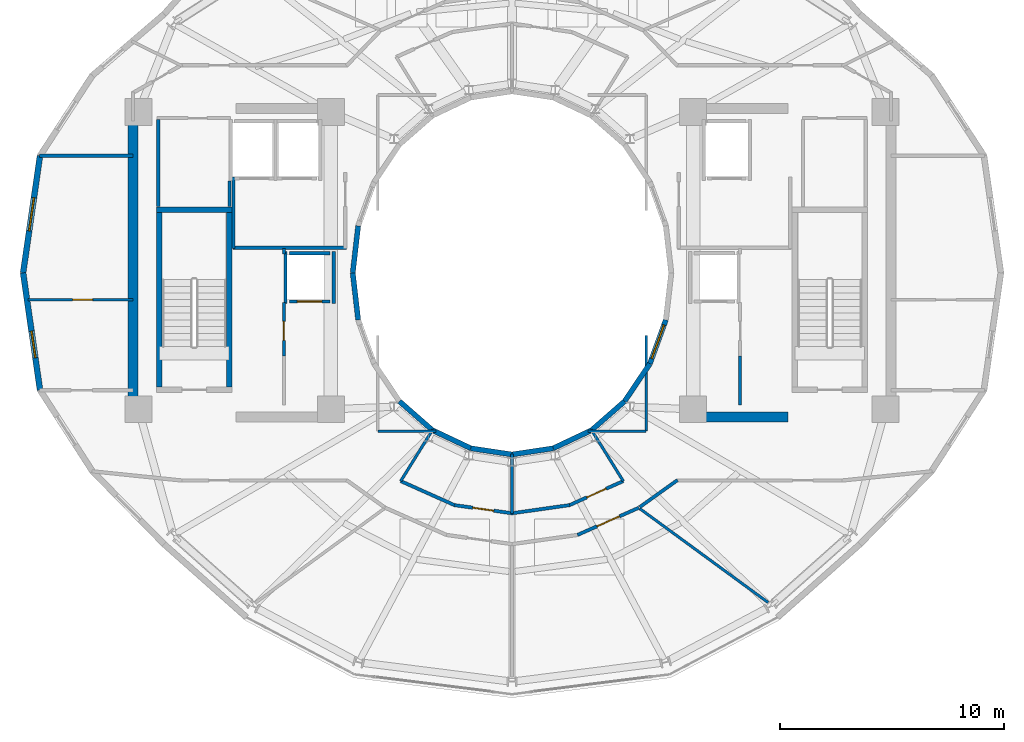
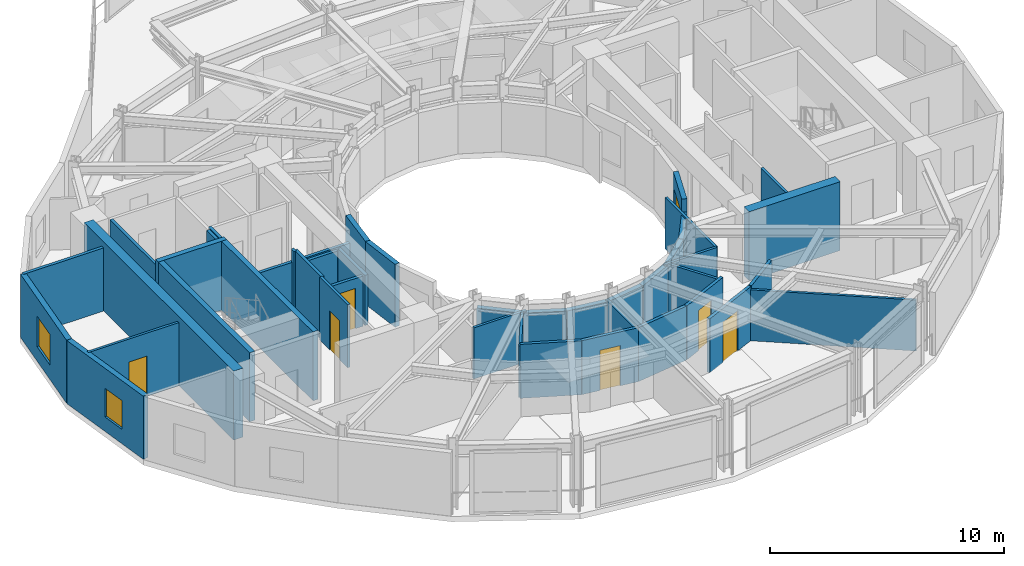
# One storey, part 13 of 19: 43 walls, 6 doors, 3 windows, 9 openings.
"""IFC4 building model written with IfcOpenShell, lengths in metres."""

from ifc_helpers import new_model, si_unit, direction, frame, frame_2d, origin, place, context, subcontext, project, spatial, rectangle, extrude, material, layer, layer_set, type_object, element, fill, save


model = new_model("IFC4")

# Units and contexts
model_context = context("Model", 3, precision=1e-05, world=origin(), true_north=direction((0.0, 1.0)))
body_context = subcontext(model_context, "Body", "Model", "MODEL_VIEW")
ifc_project = project(units=[si_unit("LENGTHUNIT", "METRE"), si_unit("AREAUNIT", "SQUARE_METRE"), si_unit("VOLUMEUNIT", "CUBIC_METRE"), si_unit("PLANEANGLEUNIT", "RADIAN"), si_unit("MASSUNIT", "GRAM", prefix="KILO")], contexts=[model_context])

# Site, building, storey
site_placement = place(None, origin())
site = spatial("IfcSite", under=ifc_project, at=site_placement, CompositionType="ELEMENT")
building_placement = place(site_placement, origin())
building = spatial("IfcBuilding", under=site, at=building_placement, Name="Solvane Sanctuary Tower", CompositionType="ELEMENT")
storey_placement = place(building_placement, frame((0.0, 0.0, 242.39990234375)))
storey = spatial("IfcBuildingStorey", under=building, at=storey_placement, Name="L74", CompositionType="ELEMENT", Elevation=242.39990234375)

# Walls
ifc_material_1 = material(Name="Concrete C50/60", Category="concrete")
ifc_layer_1 = layer(ifc_material_1, 0.449951171875, Name="Concrete C50/60")
ifc_layer_set_1 = layer_set([ifc_layer_1], Name="Concrete C50/60")
wall_type_1 = type_object("IfcWallType", Name="Wall W-CORE-450", PredefinedType="SHEAR", material=ifc_layer_set_1)
wall_1_placement = place(storey_placement, frame((15.050048828125, 17.050048828125, 0.0), z_axis=(0.0, 0.0, 1.0), x_axis=(0.0, 1.0, 0.0)))
element("IfcWall", 1, at=wall_1_placement, inside=storey, type_object=wall_type_1, Name="L74 Core Shear Wall WC-W", PredefinedType="SHEAR", context=body_context, shape_type="SweptSolid", body=[
    extrude(rectangle(XDim=12.800048828125, YDim=0.449951171875, at=frame_2d((6.39990234375, 0.0))), origin(), (0.0, 0.0, 1.0), 3.60009765625),
])
wall_2_placement = place(storey_placement, frame((39.85009765625, 16.550048828125, 0.0), z_axis=(0.0, 0.0, 1.0), x_axis=(1.0, 0.0, 0.0)))
element("IfcWall", 2, at=wall_2_placement, inside=storey, type_object=wall_type_1, Name="L74 Core Shear Wall EC-S", PredefinedType="SHEAR", context=body_context, shape_type="SweptSolid", body=[
    extrude(rectangle(XDim=4.5, YDim=0.449951171875, at=frame_2d((2.25, 0.0))), origin(), (0.0, 0.0, 1.0), 3.60009765625),
])
ifc_material_2 = material(Name="Acoustic Gypsum Partition Board")
ifc_layer_2 = layer(ifc_material_2, 0.14990234375, Name="Acoustic Gypsum Partition Board")
ifc_layer_set_2 = layer_set([ifc_layer_2], Name="Acoustic Gypsum Partition Board")
wall_type_2 = type_object("IfcWallType", Name="Wall W-CORR-150", PredefinedType="PARTITIONING", material=ifc_layer_set_2)
wall_3_placement = place(storey_placement, frame((19.52001953125, 24.1201171875, 0.0), z_axis=(0.0, 0.0, 1.0), x_axis=(1.0, 0.0, 0.0)))
element("IfcWall", 3, at=wall_3_placement, inside=storey, type_object=wall_type_2, Name="L74 West Firefighting Lobby South Wall", PredefinedType="PARTITIONING", context=body_context, shape_type="SweptSolid", body=[
    extrude(rectangle(XDim=5.080078125, YDim=0.14990234375, at=frame_2d((2.5400390625, 0.0))), origin(), (0.0, 0.0, 1.0), 2.6201171875),
])
wall_4_placement = place(storey_placement, frame((19.550048828125, 24.080078125, 0.0), z_axis=(0.0, 0.0, 1.0), x_axis=(0.0, 1.0, 0.0)))
element("IfcWall", 4, at=wall_4_placement, inside=storey, type_object=wall_type_2, Name="L74 West Firefighting Lobby West Wall", PredefinedType="PARTITIONING", context=body_context, shape_type="SweptSolid", body=[
    extrude(rectangle(XDim=3.199951171875, YDim=0.14990234375, at=frame_2d((1.60009765625, 0.0))), origin(), (0.0, 0.0, 1.0), 3.295166015625),
])
wall_5_placement = place(storey_placement, frame((27.01904296875, 13.694091796875, 0.0), z_axis=(0.0, 0.0, 1.0), x_axis=(0.912628408652, -0.408790151203, 0.0)))
element("IfcWall", 5, at=wall_5_placement, inside=storey, type_object=wall_type_2, Name="L74 South Light-Well Corridor Wall 1", PredefinedType="PARTITIONING", context=body_context, shape_type="SweptSolid", body=[
    extrude(rectangle(XDim=2.637939453125, YDim=0.14990234375, at=frame_2d((1.31884765625, 0.0))), origin(), (0.0, 0.0, 1.0), 2.816162109375),
])

# Wall, opening, door
wall_6_placement = place(storey_placement, frame((29.423095703125, 12.61669921875, 0.0), z_axis=(0.0, 0.0, 1.0), x_axis=(0.990078185178, -0.140517569133, 0.0)))
wall_6 = element("IfcWall", 6, at=wall_6_placement, inside=storey, type_object=wall_type_2, Name="L74 South Light-Well Corridor Wall 1", PredefinedType="PARTITIONING", context=body_context, shape_type="SweptSolid", body=[
    extrude(rectangle(XDim=2.609619140625, YDim=0.14990234375, at=frame_2d((1.3046875, 0.0))), origin(), (0.0, 0.0, 1.0), 2.816162109375),
])
opening_1_placement = place(wall_6_placement, frame((0.829833984375, 0.0, 0.0)))
opening_1 = element("IfcOpeningElement", 7, at=opening_1_placement, cuts=wall_6, Name="Opening D-L74-11", PredefinedType="OPENING", context=body_context, shape_type="SweptSolid", body=[
    extrude(rectangle(XDim=0.949951171875, YDim=2.10009765625, at=frame_2d((0.47509765625, 1.050048828125))), frame((0.0, 0.0849609375, 0.0), z_axis=(0.0, -1.0, 0.0), x_axis=(1.0, 0.0, 0.0)), (0.0, 0.0, 1.0), 0.169921875),
])
ifc_material_3 = material(Name="Engineered Tropical Hardwood", Category="wood")
door_type_1 = type_object("IfcDoorType", Name="Door D-ROOM-950", OperationType="NOTDEFINED", PredefinedType="DOOR", material=ifc_material_3)
door_1_placement = place(opening_1_placement, origin())
door_1 = element("IfcDoor", 8, at=door_1_placement, inside=storey, type_object=door_type_1, Name="L74 South Light-Well Alcove Door 1", OperationType="SINGLE_SWING_RIGHT", OverallHeight=2.10009765625, OverallWidth=0.949951171875, PredefinedType="DOOR", context=body_context, shape_type="SweptSolid", body=[
    extrude(rectangle(XDim=0.949951171875, YDim=2.10009765625, at=frame_2d((0.47509765625, 1.050048828125))), frame((0.0, 0.02490234375, 0.0), z_axis=(0.0, -1.0, 0.0), x_axis=(1.0, 0.0, 0.0)), (0.0, 0.0, 1.0), 0.050048828125),
])
fill(opening_1, door_1)

# Wall
wall_7_placement = place(storey_placement, frame((31.9931640625, 12.25, 0.0), z_axis=(0.0, 0.0, 1.0), x_axis=(0.990078185178, 0.140517569133, 0.0)))
element("IfcWall", 9, at=wall_7_placement, inside=storey, type_object=wall_type_2, Name="L74 South Light-Well Corridor Wall 2", PredefinedType="PARTITIONING", context=body_context, shape_type="SweptSolid", body=[
    extrude(rectangle(XDim=2.609619140625, YDim=0.14990234375, at=frame_2d((1.3046875, 0.0))), origin(), (0.0, 0.0, 1.0), 2.816162109375),
])

# Wall, opening, door
wall_8_placement = place(storey_placement, frame((34.573486328125, 12.61572265625, 0.0), z_axis=(0.0, 0.0, 1.0), x_axis=(0.912628408652, 0.408790151203, 0.0)))
wall_8 = element("IfcWall", 10, at=wall_8_placement, inside=storey, type_object=wall_type_2, Name="L74 South Light-Well Corridor Wall 2", PredefinedType="PARTITIONING", context=body_context, shape_type="SweptSolid", body=[
    extrude(rectangle(XDim=2.637939453125, YDim=0.14990234375, at=frame_2d((1.31884765625, 0.0))), origin(), (0.0, 0.0, 1.0), 2.816162109375),
])
opening_2_placement = place(wall_8_placement, frame((0.843994140625, 0.0, 0.0)))
opening_2 = element("IfcOpeningElement", 11, at=opening_2_placement, cuts=wall_8, Name="Opening D-L74-12", PredefinedType="OPENING", context=body_context, shape_type="SweptSolid", body=[
    extrude(rectangle(XDim=0.949951171875, YDim=2.10009765625, at=frame_2d((0.47509765625, 1.050048828125))), frame((0.0, 0.0849609375, 0.0), z_axis=(0.0, -1.0, 0.0), x_axis=(1.0, 0.0, 0.0)), (0.0, 0.0, 1.0), 0.169921875),
])
door_2_placement = place(opening_2_placement, origin())
door_2 = element("IfcDoor", 12, at=door_2_placement, inside=storey, type_object=door_type_1, Name="L74 South Light-Well Alcove Door 2", OperationType="SINGLE_SWING_LEFT", OverallHeight=2.10009765625, OverallWidth=0.949951171875, PredefinedType="DOOR", context=body_context, shape_type="SweptSolid", body=[
    extrude(rectangle(XDim=0.949951171875, YDim=2.10009765625, at=frame_2d((0.47509765625, 1.050048828125))), frame((0.0, 0.02490234375, 0.0), z_axis=(0.0, -1.0, 0.0), x_axis=(1.0, 0.0, 0.0)), (0.0, 0.0, 1.0), 0.050048828125),
])
fill(opening_2, door_2)

# Walls
wall_9_placement = place(storey_placement, frame((10.87548828125, 28.245361328125, 0.0), z_axis=(0.0, 0.0, 1.0), x_axis=(1.0, 0.0, 0.0)))
element("IfcWall", 13, at=wall_9_placement, inside=storey, type_object=wall_type_2, Name="L74 West Shoulder North Wall", PredefinedType="PARTITIONING", context=body_context, shape_type="SweptSolid", body=[
    extrude(rectangle(XDim=4.174560546875, YDim=0.14990234375, at=frame_2d((2.08740234375, 0.0))), origin(), (0.0, 0.0, 1.0), 3.295166015625),
])
wall_10_placement = place(storey_placement, frame((37.709716796875, 12.527099609375, 0.0), z_axis=(0.0, 0.0, 1.0), x_axis=(0.813780999276, 0.581171648669, 0.0)))
element("IfcWall", 14, at=wall_10_placement, inside=storey, type_object=wall_type_2, Name="L74 SE Corner Throat Wall", PredefinedType="PARTITIONING", context=body_context, shape_type="SweptSolid", body=[
    extrude(rectangle(XDim=2.082275390625, YDim=0.14990234375, at=frame_2d((1.041015625, 0.0))), origin(), (0.0, 0.0, 1.0), 2.816162109375),
])

# Wall, opening, door
wall_11_placement = place(storey_placement, frame((34.930419921875, 11.28271484375, 0.0), z_axis=(0.0, 0.0, 1.0), x_axis=(0.914043013008, 0.4056172708, 0.0)))
wall_11 = element("IfcWall", 15, at=wall_11_placement, inside=storey, type_object=wall_type_2, Name="L74 Sky Promenade Corridor Wall S2", PredefinedType="PARTITIONING", context=body_context, shape_type="SweptSolid", body=[
    extrude(rectangle(XDim=2.999267578125, YDim=0.14990234375, at=frame_2d((1.49951171875, 0.0))), origin(), (0.0, 0.0, 1.0), 2.816162109375),
])
opening_3_placement = place(wall_11_placement, frame((0.949462890625, 0.0, 0.0)))
opening_3 = element("IfcOpeningElement", 16, at=opening_3_placement, cuts=wall_11, Name="Opening D-L74-26", PredefinedType="OPENING", context=body_context, shape_type="SweptSolid", body=[
    extrude(rectangle(XDim=1.10009765625, YDim=2.10009765625, at=frame_2d((0.550048828125, 1.050048828125))), frame((0.0, 0.0849609375, 0.0), z_axis=(0.0, -1.0, 0.0), x_axis=(1.0, 0.0, 0.0)), (0.0, 0.0, 1.0), 0.169921875),
])
ifc_material_4 = material(Name="Architectural Stainless Steel 316", Category="steel")
door_type_2 = type_object("IfcDoorType", Name="Door D-FFL", OperationType="NOTDEFINED", PredefinedType="DOOR", material=ifc_material_4)
door_3_placement = place(opening_3_placement, origin())
door_3 = element("IfcDoor", 17, at=door_3_placement, inside=storey, type_object=door_type_2, Name="L74 Sky Hall Entrance Door S2", OperationType="SINGLE_SWING_LEFT", OverallHeight=2.10009765625, OverallWidth=1.10009765625, PredefinedType="DOOR", context=body_context, shape_type="SweptSolid", body=[
    extrude(rectangle(XDim=1.10009765625, YDim=2.10009765625, at=frame_2d((0.550048828125, 1.050048828125))), frame((0.0, 0.02490234375, 0.0), z_axis=(0.0, -1.0, 0.0), x_axis=(1.0, 0.0, 0.0)), (0.0, 0.0, 1.0), 0.050048828125),
])
fill(opening_3, door_3)

# Wall, opening, window
ifc_material_5 = material(Name="Precast concrete C40/50", Category="concrete")
ifc_layer_3 = layer(ifc_material_5, 0.260009765625, Name="Precast concrete C40/50")
ifc_layer_set_3 = layer_set([ifc_layer_3], Name="Precast concrete C40/50")
wall_type_3 = type_object("IfcWallType", Name="Wall W-EXT-250", PredefinedType="STANDARD", material=ifc_layer_set_3)
wall_12_placement = place(storey_placement, frame((10.895263671875, 28.23876953125, 0.0), z_axis=(0.0, 0.0, 1.0), x_axis=(-0.142712754019, -0.989764148593, 0.0)))
wall_12 = element("IfcWall", 18, at=wall_12_placement, inside=storey, type_object=wall_type_3, Name="L74 Ceramic-Printed Facade Wall 11", PredefinedType="STANDARD", context=body_context, shape_type="SweptSolid", body=[
    extrude(rectangle(XDim=5.29296875, YDim=0.260009765625, at=frame_2d((2.646484375, 0.0))), origin(), (0.0, 0.0, 1.0), 3.2900390625),
])
opening_4_placement = place(wall_12_placement, frame((1.896484375, 0.0, 0.75)))
opening_4 = element("IfcOpeningElement", 19, at=opening_4_placement, cuts=wall_12, Name="Opening WN-OPER-1500", PredefinedType="OPENING", context=body_context, shape_type="SweptSolid", body=[
    extrude(rectangle(XDim=1.5, YDim=1.60009765625, at=frame_2d((0.75, 0.800048828125))), frame((0.0, 0.139892578125, 0.0), z_axis=(0.0, -1.0, 0.0), x_axis=(1.0, 0.0, 0.0)), (0.0, 0.0, 1.0), 0.280029296875),
])
ifc_material_6 = material(Name="Dark Ceramic-Fritted Low-E Glass", Category="glass")
window_type_1 = type_object("IfcWindowType", Name="Window WN-OPER-1500", PartitioningType="SINGLE_PANEL", PredefinedType="WINDOW", material=ifc_material_6)
window_1_placement = place(opening_4_placement, origin())
window_1 = element("IfcWindow", 20, at=window_1_placement, inside=storey, type_object=window_type_1, Name="L74 Operable Facade Window 11", OverallHeight=1.60009765625, OverallWidth=1.5, PartitioningType="SINGLE_PANEL", PredefinedType="WINDOW", context=body_context, shape_type="SweptSolid", body=[
    extrude(rectangle(XDim=1.5, YDim=1.60009765625, at=frame_2d((0.75, 0.800048828125))), frame((0.0, 0.030029296875, 0.0), z_axis=(0.0, -1.0, 0.0), x_axis=(1.0, 0.0, 0.0)), (0.0, 0.0, 1.0), 0.06005859375),
])
fill(opening_4, window_1)

wall_13_placement = place(storey_placement, frame((10.139892578125, 23.0, 0.0), z_axis=(0.0, 0.0, 1.0), x_axis=(0.142712754019, -0.989764148593, 0.0)))
wall_13 = element("IfcWall", 21, at=wall_13_placement, inside=storey, type_object=wall_type_3, Name="L74 Ceramic-Printed Facade Wall 12", PredefinedType="STANDARD", context=body_context, shape_type="SweptSolid", body=[
    extrude(rectangle(XDim=5.29296875, YDim=0.260009765625, at=frame_2d((2.646484375, 0.0))), origin(), (0.0, 0.0, 1.0), 3.2900390625),
])
opening_5_placement = place(wall_13_placement, frame((2.627685546875, 0.0, 0.75)))
opening_5 = element("IfcOpeningElement", 22, at=opening_5_placement, cuts=wall_13, Name="Opening WN-OPER-1200", PredefinedType="OPENING", context=body_context, shape_type="SweptSolid", body=[
    extrude(rectangle(XDim=1.199951171875, YDim=1.5, at=frame_2d((0.60009765625, 0.75))), frame((0.0, 0.139892578125, 0.0), z_axis=(0.0, -1.0, 0.0), x_axis=(1.0, 0.0, 0.0)), (0.0, 0.0, 1.0), 0.280029296875),
])
window_type_2 = type_object("IfcWindowType", Name="Window WN-OPER-1200", PartitioningType="SINGLE_PANEL", PredefinedType="WINDOW", material=ifc_material_6)
window_2_placement = place(opening_5_placement, origin())
window_2 = element("IfcWindow", 23, at=window_2_placement, inside=storey, type_object=window_type_2, Name="L74 Operable Facade Window 12", OverallHeight=1.5, OverallWidth=1.199951171875, PartitioningType="SINGLE_PANEL", PredefinedType="WINDOW", context=body_context, shape_type="SweptSolid", body=[
    extrude(rectangle(XDim=1.199951171875, YDim=1.5, at=frame_2d((0.60009765625, 0.75))), frame((0.0, 0.030029296875, 0.0), z_axis=(0.0, -1.0, 0.0), x_axis=(1.0, 0.0, 0.0)), (0.0, 0.0, 1.0), 0.06005859375),
])
fill(opening_5, window_2)

# Walls
ifc_layer_4 = layer(ifc_material_5, 0.22998046875, Name="Precast concrete C40/50")
ifc_layer_set_4 = layer_set([ifc_layer_4], Name="Precast concrete C40/50")
wall_type_4 = type_object("IfcWallType", Name="Wall W-EXT-SP220", PredefinedType="STANDARD", material=ifc_layer_set_4)
for number, where, z_axis, x_axis, name in (
    (24, (25.12255859375, 25.1015625, 0.0), (0.0, 0.0, 1.0), (-0.114711713601, -0.993398823617, 0.0), "L74 Central Light-Well Wall 11"),
    (25, (24.8798828125, 23.0, 0.0), (0.0, 0.0, 1.0), (0.114711713601, -0.993398823617, 0.0), "L74 Central Light-Well Wall 12"),
):
    element("IfcWall", number, at=place(storey_placement, frame(where, z_axis=z_axis, x_axis=x_axis)), inside=storey, type_object=wall_type_4, Name=name, PredefinedType="STANDARD", context=body_context, shape_type="SweptSolid", body=[
        extrude(rectangle(XDim=2.115478515625, YDim=0.22998046875, at=frame_2d((1.0576171875, 0.0))), origin(), (0.0, 0.0, 1.0), 3.280029296875),
    ])
wall_14_placement = place(storey_placement, frame((26.96533203125, 17.25830078125, 0.0), z_axis=(0.0, 0.0, 1.0), x_axis=(0.752576694707, -0.658504607869, 0.0)))
element("IfcWall", 26, at=wall_14_placement, inside=storey, type_object=wall_type_4, Name="L74 Central Light-Well Wall 15", PredefinedType="STANDARD", context=body_context, shape_type="SweptSolid", body=[
    extrude(rectangle(XDim=1.95947265625, YDim=0.22998046875, at=frame_2d((0.979736328125, 0.0))), origin(), (0.0, 0.0, 1.0), 2.60009765625),
])
wall_15_placement = place(storey_placement, frame((28.43994140625, 15.968017578125, 0.0), z_axis=(0.0, 0.0, 1.0), x_axis=(0.904179699603, -0.427152280606, 0.0)))
element("IfcWall", 27, at=wall_15_placement, inside=storey, type_object=wall_type_4, Name="L74 Central Light-Well Wall 16", PredefinedType="STANDARD", context=body_context, shape_type="SweptSolid", body=[
    extrude(rectangle(XDim=1.899169921875, YDim=0.22998046875, at=frame_2d((0.94970703125, 0.0))), origin(), (0.0, 0.0, 1.0), 2.60009765625),
])
for number, where, z_axis, x_axis, name in (
    (28, (30.1572265625, 15.15673828125, 0.0), (0.0, 0.0, 1.0), (0.988901730308, -0.148571086668, 0.0), "L74 Central Light-Well Wall 17"),
    (29, (32.0, 14.8798828125, 0.0), (0.0, 0.0, 1.0), (0.988901730308, 0.148571086668, 0.0), "L74 Central Light-Well Wall 18"),
):
    element("IfcWall", number, at=place(storey_placement, frame(where, z_axis=z_axis, x_axis=x_axis)), inside=storey, type_object=wall_type_4, Name=name, PredefinedType="STANDARD", context=body_context, shape_type="SweptSolid", body=[
        extrude(rectangle(XDim=1.863525390625, YDim=0.22998046875, at=frame_2d((0.931640625, 0.0))), origin(), (0.0, 0.0, 1.0), 2.60009765625),
    ])
wall_16_placement = place(storey_placement, frame((33.8427734375, 15.15673828125, 0.0), z_axis=(0.0, 0.0, 1.0), x_axis=(0.904179699603, 0.427152280606, 0.0)))
element("IfcWall", 30, at=wall_16_placement, inside=storey, type_object=wall_type_4, Name="L74 Central Light-Well Wall 19", PredefinedType="STANDARD", context=body_context, shape_type="SweptSolid", body=[
    extrude(rectangle(XDim=1.899169921875, YDim=0.22998046875, at=frame_2d((0.94970703125, 0.0))), origin(), (0.0, 0.0, 1.0), 2.60009765625),
])
wall_17_placement = place(storey_placement, frame((35.56005859375, 15.968017578125, 0.0), z_axis=(0.0, 0.0, 1.0), x_axis=(0.752576694707, 0.658504607869, 0.0)))
element("IfcWall", 31, at=wall_17_placement, inside=storey, type_object=wall_type_4, Name="L74 Central Light-Well Wall 20", PredefinedType="STANDARD", context=body_context, shape_type="SweptSolid", body=[
    extrude(rectangle(XDim=1.95947265625, YDim=0.22998046875, at=frame_2d((0.979736328125, 0.0))), origin(), (0.0, 0.0, 1.0), 2.60009765625),
])
wall_18_placement = place(storey_placement, frame((37.03466796875, 17.25830078125, 0.0), z_axis=(0.0, 0.0, 1.0), x_axis=(0.558197800898, 0.829707909492, 0.0)))
element("IfcWall", 32, at=wall_18_placement, inside=storey, type_object=wall_type_4, Name="L74 Central Light-Well Wall 21", PredefinedType="STANDARD", context=body_context, shape_type="SweptSolid", body=[
    extrude(rectangle(XDim=2.02685546875, YDim=0.22998046875, at=frame_2d((1.013427734375, 0.0))), origin(), (0.0, 0.0, 1.0), 2.60009765625),
])

# Wall, opening, window
wall_19_placement = place(storey_placement, frame((38.166015625, 18.93994140625, 0.0), z_axis=(0.0, 0.0, 1.0), x_axis=(0.341423187295, 0.93990968033, 0.0)))
wall_19 = element("IfcWall", 33, at=wall_19_placement, inside=storey, type_object=wall_type_4, Name="L74 Central Light-Well Wall 22", PredefinedType="STANDARD", context=body_context, shape_type="SweptSolid", body=[
    extrude(rectangle(XDim=2.083740234375, YDim=0.22998046875, at=frame_2d((1.0419921875, 0.0))), origin(), (0.0, 0.0, 1.0), 3.280029296875),
])
opening_6_placement = place(wall_19_placement, frame((0.24169921875, 0.0, 0.85009765625)))
opening_6 = element("IfcOpeningElement", 34, at=opening_6_placement, cuts=wall_19, Name="Opening WN-WELL-1600", PredefinedType="OPENING", context=body_context, shape_type="SweptSolid", body=[
    extrude(rectangle(XDim=1.60009765625, YDim=1.64990234375, at=frame_2d((0.800048828125, 0.824951171875))), frame((0.0, 0.125, 0.0), z_axis=(0.0, -1.0, 0.0), x_axis=(1.0, 0.0, 0.0)), (0.0, 0.0, 1.0), 0.25),
])
ifc_material_7 = material(Name="Clear Laminated Light-Well Glass", Category="glass")
window_type_3 = type_object("IfcWindowType", Name="Window WN-WELL-1600", PartitioningType="SINGLE_PANEL", PredefinedType="WINDOW", material=ifc_material_7)
window_3_placement = place(opening_6_placement, origin())
window_3 = element("IfcWindow", 35, at=window_3_placement, inside=storey, type_object=window_type_3, Name="L74 Light-Well Daylight Window 22", OverallHeight=1.64990234375, OverallWidth=1.60009765625, PartitioningType="SINGLE_PANEL", PredefinedType="WINDOW", context=body_context, shape_type="SweptSolid", body=[
    extrude(rectangle(XDim=1.60009765625, YDim=1.64990234375, at=frame_2d((0.800048828125, 0.824951171875))), frame((0.0, 0.030029296875, 0.0), z_axis=(0.0, -1.0, 0.0), x_axis=(1.0, 0.0, 0.0)), (0.0, 0.0, 1.0), 0.06005859375),
])
fill(opening_6, window_3)

# Wall, opening, door
ifc_layer_5 = layer(ifc_material_2, 0.1201171875, Name="Acoustic Gypsum Partition Board")
ifc_layer_set_5 = layer_set([ifc_layer_5], Name="Acoustic Gypsum Partition Board")
wall_type_5 = type_object("IfcWallType", Name="Wall W-MOV-100", PredefinedType="MOVABLE", material=ifc_layer_set_5)
wall_20_placement = place(storey_placement, frame((10.352783203125, 21.800048828125, 0.0), z_axis=(0.0, 0.0, 1.0), x_axis=(1.0, 0.0, 0.0)))
wall_20 = element("IfcWall", 36, at=wall_20_placement, inside=storey, type_object=wall_type_5, Name="L74 West Suite Partition", PredefinedType="MOVABLE", context=body_context, shape_type="SweptSolid", body=[
    extrude(rectangle(XDim=4.697265625, YDim=0.1201171875, at=frame_2d((2.3486328125, 0.0))), origin(), (0.0, 0.0, 1.0), 3.295166015625),
])
opening_7_placement = place(wall_20_placement, frame((2.0, 0.0, 0.0)))
opening_7 = element("IfcOpeningElement", 37, at=opening_7_placement, cuts=wall_20, Name="Opening D-L74-16", PredefinedType="OPENING", context=body_context, shape_type="SweptSolid", body=[
    extrude(rectangle(XDim=0.89990234375, YDim=2.10009765625, at=frame_2d((0.449951171875, 1.050048828125))), frame((0.0, 0.070068359375, 0.0), z_axis=(0.0, -1.0, 0.0), x_axis=(1.0, 0.0, 0.0)), (0.0, 0.0, 1.0), 0.14013671875),
])
door_type_3 = type_object("IfcDoorType", Name="Door D-WET-900", OperationType="NOTDEFINED", PredefinedType="DOOR", material=ifc_material_3)
door_4_placement = place(opening_7_placement, origin())
door_4 = element("IfcDoor", 38, at=door_4_placement, inside=storey, type_object=door_type_3, Name="L74 West Suite Internal Door", OperationType="SINGLE_SWING_LEFT", OverallHeight=2.10009765625, OverallWidth=0.89990234375, PredefinedType="DOOR", context=body_context, shape_type="SweptSolid", body=[
    extrude(rectangle(XDim=0.89990234375, YDim=2.10009765625, at=frame_2d((0.449951171875, 1.050048828125))), frame((0.0, 0.02490234375, 0.0), z_axis=(0.0, -1.0, 0.0), x_axis=(1.0, 0.0, 0.0)), (0.0, 0.0, 1.0), 0.050048828125),
])
fill(opening_7, door_4)

# Wall
wall_21_placement = place(storey_placement, frame((37.70947265625, 12.462646484375, 0.0), z_axis=(0.0, 0.0, 1.0), x_axis=(0.807095694912, -0.590420646027, 0.0)))
element("IfcWall", 39, at=wall_21_placement, inside=storey, type_object=wall_type_5, Name="L74 Sky Hall Radial Partition 300", PredefinedType="MOVABLE", context=body_context, shape_type="SweptSolid", body=[
    extrude(rectangle(XDim=7.118896484375, YDim=0.1201171875, at=frame_2d((3.5595703125, 0.0))), origin(), (0.0, 0.0, 1.0), 2.66015625),
])

# Wall, opening, door
ifc_layer_6 = layer(ifc_material_2, 0.125, Name="Acoustic Gypsum Partition Board")
ifc_layer_set_6 = layer_set([ifc_layer_6], Name="Acoustic Gypsum Partition Board")
wall_type_6 = type_object("IfcWallType", Name="Wall W-PART-125", PredefinedType="PARTITIONING", material=ifc_layer_set_6)
wall_22_placement = place(storey_placement, frame((21.800048828125, 19.280029296875, 0.0), z_axis=(0.0, 0.0, 1.0), x_axis=(0.0, 1.0, 0.0)))
wall_22 = element("IfcWall", 40, at=wall_22_placement, inside=storey, type_object=wall_type_6, Name="L74 Reclaimed Room Partition PMW", PredefinedType="PARTITIONING", context=body_context, shape_type="SweptSolid", body=[
    extrude(rectangle(XDim=2.39990234375, YDim=0.125, at=frame_2d((1.199951171875, 0.0))), origin(), (0.0, 0.0, 1.0), 3.295166015625),
])
opening_8_placement = place(wall_22_placement, frame((0.699951171875, 0.0, 0.0)))
opening_8 = element("IfcOpeningElement", 41, at=opening_8_placement, cuts=wall_22, Name="Opening D-L74-05", PredefinedType="OPENING", context=body_context, shape_type="SweptSolid", body=[
    extrude(rectangle(XDim=0.85009765625, YDim=2.050048828125, at=frame_2d((0.425048828125, 1.02490234375))), frame((0.0, 0.072509765625, 0.0), z_axis=(0.0, -1.0, 0.0), x_axis=(1.0, 0.0, 0.0)), (0.0, 0.0, 1.0), 0.14501953125),
])
door_type_4 = type_object("IfcDoorType", Name="Door D-RISER", OperationType="NOTDEFINED", PredefinedType="DOOR", material=ifc_material_4)
door_5_placement = place(opening_8_placement, origin())
door_5 = element("IfcDoor", 42, at=door_5_placement, inside=storey, type_object=door_type_4, Name="L74 Reclaimed Room Door PMW-1", OperationType="SINGLE_SWING_RIGHT", OverallHeight=2.050048828125, OverallWidth=0.85009765625, PredefinedType="DOOR", context=body_context, shape_type="SweptSolid", body=[
    extrude(rectangle(XDim=0.85009765625, YDim=2.050048828125, at=frame_2d((0.425048828125, 1.02490234375))), frame((0.0, 0.02490234375, 0.0), z_axis=(0.0, -1.0, 0.0), x_axis=(1.0, 0.0, 0.0)), (0.0, 0.0, 1.0), 0.050048828125),
])
fill(opening_8, door_5)

# Walls
wall_23_placement = place(storey_placement, frame((21.800048828125, 23.85009765625, 0.0), z_axis=(0.0, 0.0, 1.0), x_axis=(0.0, 1.0, 0.0)))
element("IfcWall", 43, at=wall_23_placement, inside=storey, type_object=wall_type_6, Name="L74 Reclaimed Room Dividing Wall PMW", PredefinedType="PARTITIONING", context=body_context, shape_type="SweptSolid", body=[
    extrude(rectangle(XDim=0.25, YDim=0.125, at=frame_2d((0.125, 0.0))), origin(), (0.0, 0.0, 1.0), 3.295166015625),
])
wall_24_placement = place(storey_placement, frame((42.199951171875, 17.10009765625, 0.0), z_axis=(0.0, 0.0, 1.0), x_axis=(0.0, 1.0, 0.0)))
element("IfcWall", 44, at=wall_24_placement, inside=storey, type_object=wall_type_6, Name="L74 Reclaimed Room Closer Wall PME-1", PredefinedType="PARTITIONING", context=body_context, shape_type="SweptSolid", body=[
    extrude(rectangle(XDim=2.179931640625, YDim=0.125, at=frame_2d((1.08984375, 0.0))), origin(), (0.0, 0.0, 1.0), 3.295166015625),
])
wall_25_placement = place(storey_placement, frame((28.449951171875, 15.985107421875, 0.0), z_axis=(0.0, 0.0, 1.0), x_axis=(-0.527527080983, -0.849538215049, 0.0)))
element("IfcWall", 45, at=wall_25_placement, inside=storey, type_object=wall_type_6, Name="L74 South Light-Well Radial Wall 240", PredefinedType="PARTITIONING", context=body_context, shape_type="SweptSolid", body=[
    extrude(rectangle(XDim=2.701416015625, YDim=0.125, at=frame_2d((1.3505859375, 0.0))), origin(), (0.0, 0.0, 1.0), 2.672119140625),
])
wall_26_placement = place(storey_placement, frame((32.0, 14.89990234375, 0.0), z_axis=(0.0, 0.0, 1.0), x_axis=(0.0, -1.0, 0.0)))
element("IfcWall", 46, at=wall_26_placement, inside=storey, type_object=wall_type_6, Name="L74 South Light-Well Radial Wall 270", PredefinedType="PARTITIONING", context=body_context, shape_type="SweptSolid", body=[
    extrude(rectangle(XDim=2.64990234375, YDim=0.125, at=frame_2d((1.324951171875, 0.0))), origin(), (0.0, 0.0, 1.0), 2.672119140625),
])
wall_27_placement = place(storey_placement, frame((35.550048828125, 15.985107421875, 0.0), z_axis=(0.0, 0.0, 1.0), x_axis=(0.527527080983, -0.849538215049, 0.0)))
element("IfcWall", 47, at=wall_27_placement, inside=storey, type_object=wall_type_6, Name="L74 South Light-Well Radial Wall 300", PredefinedType="PARTITIONING", context=body_context, shape_type="SweptSolid", body=[
    extrude(rectangle(XDim=2.701416015625, YDim=0.125, at=frame_2d((1.3505859375, 0.0))), origin(), (0.0, 0.0, 1.0), 2.672119140625),
])
wall_28_placement = place(storey_placement, frame((26.0, 15.919921875, 0.0), z_axis=(0.0, 0.0, 1.0), x_axis=(1.0, 0.0, 0.0)))
element("IfcWall", 48, at=wall_28_placement, inside=storey, type_object=wall_type_6, Name="L74 Bridge Alcove Wall 6", PredefinedType="PARTITIONING", context=body_context, shape_type="SweptSolid", body=[
    extrude(rectangle(XDim=2.60009765625, YDim=0.125, at=frame_2d((1.300048828125, 0.0))), origin(), (0.0, 0.0, 1.0), 2.672119140625),
])
wall_29_placement = place(storey_placement, frame((38.0, 15.919921875, 0.0), z_axis=(0.0, 0.0, 1.0), x_axis=(0.0, 1.0, 0.0)))
element("IfcWall", 49, at=wall_29_placement, inside=storey, type_object=wall_type_6, Name="L74 Bridge Alcove Wall 7", PredefinedType="PARTITIONING", context=body_context, shape_type="SweptSolid", body=[
    extrude(rectangle(XDim=4.280029296875, YDim=0.125, at=frame_2d((2.14013671875, 0.0))), origin(), (0.0, 0.0, 1.0), 2.672119140625),
])
wall_30_placement = place(storey_placement, frame((35.39990234375, 15.919921875, 0.0), z_axis=(0.0, 0.0, 1.0), x_axis=(1.0, 0.0, 0.0)))
element("IfcWall", 50, at=wall_30_placement, inside=storey, type_object=wall_type_6, Name="L74 Bridge Alcove Wall 8", PredefinedType="PARTITIONING", context=body_context, shape_type="SweptSolid", body=[
    extrude(rectangle(XDim=2.60009765625, YDim=0.125, at=frame_2d((1.300048828125, 0.0))), origin(), (0.0, 0.0, 1.0), 2.672119140625),
])

# Wall, opening, door
ifc_layer_7 = layer(ifc_material_1, 0.14990234375, Name="Concrete C50/60")
ifc_layer_set_7 = layer_set([ifc_layer_7], Name="Concrete C50/60")
wall_type_7 = type_object("IfcWallType", Name="Wall W-SHAFT-150", PredefinedType="SOLIDWALL", material=ifc_layer_set_7)
wall_31_placement = place(storey_placement, frame((22.0400390625, 21.719970703125, 0.0), z_axis=(0.0, 0.0, 1.0), x_axis=(1.0, 0.0, 0.0)))
wall_31 = element("IfcWall", 51, at=wall_31_placement, inside=storey, type_object=wall_type_7, Name="L74 PH-1 Lift Shaft Wall F", PredefinedType="SOLIDWALL", context=body_context, shape_type="SweptSolid", body=[
    extrude(rectangle(XDim=1.820068359375, YDim=0.14990234375, at=frame_2d((0.91015625, 0.0))), origin(), (0.0, 0.0, 1.0), 2.6201171875),
])
opening_9_placement = place(wall_31_placement, frame((0.360107421875, 0.0, 0.0)))
opening_9 = element("IfcOpeningElement", 52, at=opening_9_placement, cuts=wall_31, Name="Opening LD-L74-01", PredefinedType="OPENING", context=body_context, shape_type="SweptSolid", body=[
    extrude(rectangle(XDim=1.10009765625, YDim=2.10009765625, at=frame_2d((0.550048828125, 1.050048828125))), frame((0.0, 0.0849609375, 0.0), z_axis=(0.0, -1.0, 0.0), x_axis=(1.0, 0.0, 0.0)), (0.0, 0.0, 1.0), 0.169921875),
])
door_type_5 = type_object("IfcDoorType", Name="Door LD-PASS-1100", OperationType="NOTDEFINED", PredefinedType="DOOR", material=ifc_material_4)
door_6_placement = place(opening_9_placement, origin())
door_6 = element("IfcDoor", 53, at=door_6_placement, inside=storey, type_object=door_type_5, Name="L74 PH-1 Lift Landing Door", OperationType="DOUBLE_DOOR_SLIDING", OverallHeight=2.10009765625, OverallWidth=1.10009765625, PredefinedType="DOOR", context=body_context, shape_type="SweptSolid", body=[
    extrude(rectangle(XDim=1.10009765625, YDim=2.10009765625, at=frame_2d((0.550048828125, 1.050048828125))), frame((0.0, 0.02490234375, 0.0), z_axis=(0.0, -1.0, 0.0), x_axis=(1.0, 0.0, 0.0)), (0.0, 0.0, 1.0), 0.050048828125),
])
fill(opening_9, door_6)

# Walls
wall_32_placement = place(storey_placement, frame((22.0400390625, 23.8798828125, 0.0), z_axis=(0.0, 0.0, 1.0), x_axis=(1.0, 0.0, 0.0)))
element("IfcWall", 54, at=wall_32_placement, inside=storey, type_object=wall_type_7, Name="L74 PH-1 Lift Shaft Wall B", PredefinedType="SOLIDWALL", context=body_context, shape_type="SweptSolid", body=[
    extrude(rectangle(XDim=1.820068359375, YDim=0.14990234375, at=frame_2d((0.91015625, 0.0))), origin(), (0.0, 0.0, 1.0), 2.6201171875),
])
wall_33_placement = place(storey_placement, frame((21.8701171875, 21.639892578125, 0.0), z_axis=(0.0, 0.0, 1.0), x_axis=(0.0, 1.0, 0.0)))
element("IfcWall", 55, at=wall_33_placement, inside=storey, type_object=wall_type_7, Name="L74 PH-1 Lift Shaft Wall S1", PredefinedType="SOLIDWALL", context=body_context, shape_type="SweptSolid", body=[
    extrude(rectangle(XDim=2.320068359375, YDim=0.14990234375, at=frame_2d((1.16015625, 0.0))), origin(), (0.0, 0.0, 1.0), 3.295166015625),
])
wall_34_placement = place(storey_placement, frame((24.030029296875, 21.639892578125, 0.0), z_axis=(0.0, 0.0, 1.0), x_axis=(0.0, 1.0, 0.0)))
element("IfcWall", 56, at=wall_34_placement, inside=storey, type_object=wall_type_7, Name="L74 PH-1 Lift Shaft Wall S2", PredefinedType="SOLIDWALL", context=body_context, shape_type="SweptSolid", body=[
    extrude(rectangle(XDim=2.320068359375, YDim=0.14990234375, at=frame_2d((1.16015625, 0.0))), origin(), (0.0, 0.0, 1.0), 2.6201171875),
])
ifc_layer_8 = layer(ifc_material_1, 0.25, Name="Concrete C50/60")
ifc_layer_set_8 = layer_set([ifc_layer_8], Name="Concrete C50/60")
wall_type_8 = type_object("IfcWallType", Name="Wall W-SHAFT-250", PredefinedType="SOLIDWALL", material=ifc_layer_set_8)
wall_35_placement = place(storey_placement, frame((16.10498046875, 25.830078125, 0.0), z_axis=(0.0, 0.0, 1.0), x_axis=(1.0, 0.0, 0.0)))
element("IfcWall", 57, at=wall_35_placement, inside=storey, type_object=wall_type_8, Name="L74 ST-1 Load-Bearing Shaft Wall N", PredefinedType="SOLIDWALL", context=body_context, shape_type="SweptSolid", body=[
    extrude(rectangle(XDim=3.3701171875, YDim=0.25, at=frame_2d((1.68505859375, 0.0))), origin(), (0.0, 0.0, 1.0), 3.60009765625),
])
for number, where, z_axis, x_axis, name in (
    (58, (16.22998046875, 17.89501953125, 0.0), (0.0, 0.0, 1.0), (0.0, 1.0, 0.0), "L74 ST-1 Load-Bearing Shaft Wall W"),
    (59, (19.35009765625, 17.89501953125, 0.0), (0.0, 0.0, 1.0), (0.0, 1.0, 0.0), "L74 ST-1 Load-Bearing Shaft Wall E"),
):
    element("IfcWall", number, at=place(storey_placement, frame(where, z_axis=z_axis, x_axis=x_axis)), inside=storey, type_object=wall_type_8, Name=name, PredefinedType="SOLIDWALL", context=body_context, shape_type="SweptSolid", body=[
        extrude(rectangle(XDim=7.81005859375, YDim=0.25, at=frame_2d((3.905029296875, 0.0))), origin(), (0.0, 0.0, 1.0), 3.60009765625),
    ])
ifc_layer_9 = layer(ifc_material_2, 0.139892578125, Name="Acoustic Gypsum Partition Board")
ifc_layer_set_9 = layer_set([ifc_layer_9], Name="Acoustic Gypsum Partition Board")
wall_type_9 = type_object("IfcWallType", Name="Wall W-WET-140", PredefinedType="PLUMBINGWALL", material=ifc_layer_set_9)
wall_36_placement = place(storey_placement, frame((16.179931640625, 25.97998046875, 0.0), z_axis=(0.0, 0.0, 1.0), x_axis=(0.0, 1.0, 0.0)))
element("IfcWall", 60, at=wall_36_placement, inside=storey, type_object=wall_type_9, Name="L74 Core Service Side Wall KW0-1", PredefinedType="PLUMBINGWALL", context=body_context, shape_type="SweptSolid", body=[
    extrude(rectangle(XDim=3.880126953125, YDim=0.139892578125, at=frame_2d((1.93994140625, 0.0))), origin(), (0.0, 0.0, 1.0), 3.295166015625),
])
wall_37_placement = place(storey_placement, frame((19.360107421875, 25.97998046875, 0.0), z_axis=(0.0, 0.0, 1.0), x_axis=(0.0, 1.0, 0.0)))
element("IfcWall", 61, at=wall_37_placement, inside=storey, type_object=wall_type_9, Name="L74 Core Service Side Wall KW0-2", PredefinedType="PLUMBINGWALL", context=body_context, shape_type="SweptSolid", body=[
    extrude(rectangle(XDim=1.1201171875, YDim=0.139892578125, at=frame_2d((0.56005859375, 0.0))), origin(), (0.0, 0.0, 1.0), 3.295166015625),
])

save(model, "model.ifc")
